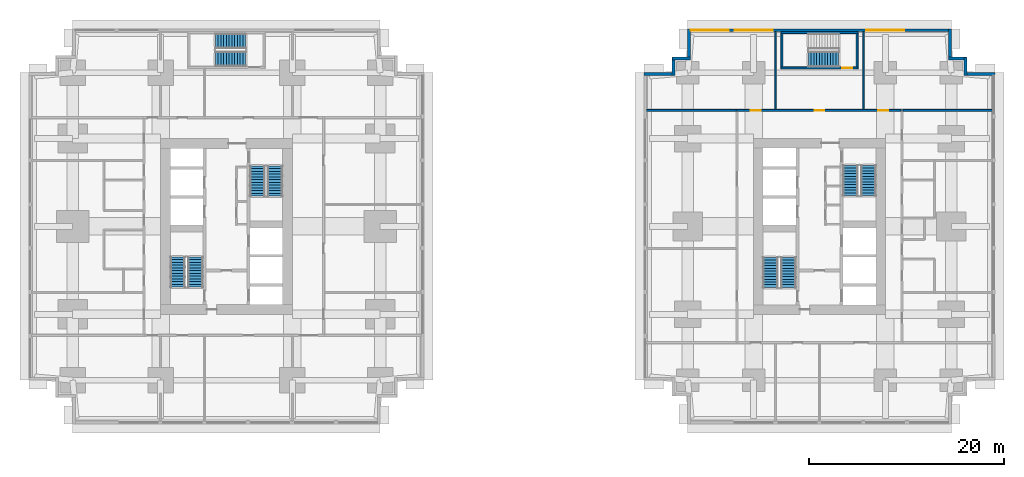
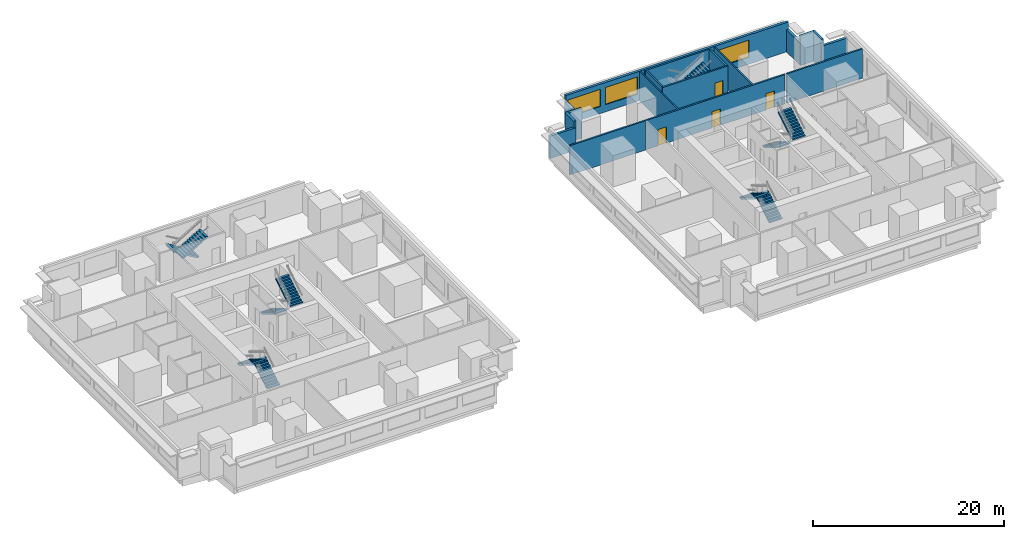
# One storey, part 8 of 12: 18 walls, 11 stair flights, 4 doors, 3 windows, 7 openings, 6 elements without a shape of their own.
"""IFC4 building model written with IfcOpenShell, lengths in metres."""

from ifc_helpers import new_model, si_unit, direction, frame, frame_2d, origin, place, context, subcontext, project, spatial, polyline, rectangle, outline, extrude, material, layer, layer_set, type_object, element, fill, aggregate, save


model = new_model("IFC4")

# Units and contexts
model_context = context("Model", 3, precision=1e-05, world=origin(), true_north=direction((0.0, 1.0)))
body_context = subcontext(model_context, "Body", "Model", "MODEL_VIEW")
ifc_project = project(units=[si_unit("LENGTHUNIT", "METRE"), si_unit("AREAUNIT", "SQUARE_METRE"), si_unit("VOLUMEUNIT", "CUBIC_METRE"), si_unit("PLANEANGLEUNIT", "RADIAN"), si_unit("MASSUNIT", "GRAM", prefix="KILO")], contexts=[model_context])

# Site, building, storey
site_placement = place(None, origin())
site = spatial("IfcSite", under=ifc_project, at=site_placement, CompositionType="ELEMENT")
building_placement = place(site_placement, origin())
building = spatial("IfcBuilding", under=site, at=building_placement, Name="Namib Vertical Campus", CompositionType="ELEMENT")
storey_placement = place(building_placement, frame((0.0, 0.0, 45.0)))
storey = spatial("IfcBuildingStorey", under=building, at=storey_placement, Name="L10", CompositionType="ELEMENT", Elevation=45.0)

# Wall, openings, doors
ifc_material_1 = material(Name="Concrete masonry", Category="masonry")
ifc_layer_1 = layer(ifc_material_1, 0.199951171875)
ifc_layer_set_1 = layer_set([ifc_layer_1], Name="Corridor wall 200")
wall_type_1 = type_object("IfcWallType", Name="Corridor wall 200", PredefinedType="SOLIDWALL", material=ifc_layer_set_1)
wall_1_placement = place(storey_placement, frame((89.35009765625, 32.14990234375, 0.0), z_axis=(0.0, 0.0, 1.0), x_axis=(-1.0, 0.0, 0.0)))
wall_1 = element("IfcWall", 1, at=wall_1_placement, inside=storey, type_object=wall_type_1, Name="Corridor wall B L10 CN", PredefinedType="SOLIDWALL", context=body_context, shape_type="SweptSolid", body=[
    extrude(rectangle(XDim=16.900146484375, YDim=0.199951171875, at=frame_2d((8.4501953125, 0.0))), origin(), (0.0, 0.0, 1.0), 3.75),
])
opening_1_placement = place(wall_1_placement, frame((14.375, 0.0, 0.0)))
opening_1 = element("IfcOpeningElement", 2, at=opening_1_placement, cuts=wall_1, Name="Opening CD1", PredefinedType="OPENING", context=body_context, shape_type="SweptSolid", body=[
    extrude(rectangle(XDim=1.0, YDim=2.10009765625, at=frame_2d((0.5, 1.050048828125))), frame((0.0, 0.10986328125, 0.0), z_axis=(0.0, -1.0, 0.0), x_axis=(1.0, 0.0, 0.0)), (0.0, 0.0, 1.0), 0.219970703125),
])
opening_2_placement = place(wall_1_placement, frame((7.85009765625, 0.0, 0.0)))
opening_2 = element("IfcOpeningElement", 3, at=opening_2_placement, cuts=wall_1, Name="Opening CD1", PredefinedType="OPENING", context=body_context, shape_type="SweptSolid", body=[
    extrude(rectangle(XDim=1.0, YDim=2.10009765625, at=frame_2d((0.5, 1.050048828125))), frame((0.0, 0.10986328125, 0.0), z_axis=(0.0, -1.0, 0.0), x_axis=(1.0, 0.0, 0.0)), (0.0, 0.0, 1.0), 0.219970703125),
])
opening_3_placement = place(wall_1_placement, frame((1.324951171875, 0.0, 0.0)))
opening_3 = element("IfcOpeningElement", 4, at=opening_3_placement, cuts=wall_1, Name="Opening CD1", PredefinedType="OPENING", context=body_context, shape_type="SweptSolid", body=[
    extrude(rectangle(XDim=1.0, YDim=2.10009765625, at=frame_2d((0.5, 1.050048828125))), frame((0.0, 0.10986328125, 0.0), z_axis=(0.0, -1.0, 0.0), x_axis=(1.0, 0.0, 0.0)), (0.0, 0.0, 1.0), 0.219970703125),
])
ifc_material_2 = material(Name="Timber fire door leaf", Category="wood")
door_type_1 = type_object("IfcDoorType", Name="Corridor door 1000x2100 20 min", OperationType="SINGLE_SWING_LEFT", PredefinedType="DOOR", material=ifc_material_2)
door_1_placement = place(opening_1_placement, frame((1.0, 0.0, 0.0), z_axis=(0.0, 0.0, 1.0), x_axis=(-1.0, 0.0, 0.0)))
door_1 = element("IfcDoor", 5, at=door_1_placement, inside=storey, type_object=door_type_1, Name="Door CD1 B10-11", OperationType="SINGLE_SWING_RIGHT", OverallHeight=2.10009765625, OverallWidth=1.0, PredefinedType="DOOR", context=body_context, shape_type="SweptSolid", body=[
    extrude(rectangle(XDim=1.0, YDim=2.10009765625, at=frame_2d((0.5, 1.050048828125))), frame((0.0, 0.02490234375, 0.0), z_axis=(0.0, -1.0, 0.0), x_axis=(1.0, 0.0, 0.0)), (0.0, 0.0, 1.0), 0.050048828125),
])
fill(opening_1, door_1)
door_2_placement = place(opening_2_placement, frame((1.0, 0.0, 0.0), z_axis=(0.0, 0.0, 1.0), x_axis=(-1.0, 0.0, 0.0)))
door_2 = element("IfcDoor", 6, at=door_2_placement, inside=storey, type_object=door_type_1, Name="Door CD1 B10-12", OperationType="SINGLE_SWING_RIGHT", OverallHeight=2.10009765625, OverallWidth=1.0, PredefinedType="DOOR", context=body_context, shape_type="SweptSolid", body=[
    extrude(rectangle(XDim=1.0, YDim=2.10009765625, at=frame_2d((0.5, 1.050048828125))), frame((0.0, 0.02490234375, 0.0), z_axis=(0.0, -1.0, 0.0), x_axis=(1.0, 0.0, 0.0)), (0.0, 0.0, 1.0), 0.050048828125),
])
fill(opening_2, door_2)
door_3_placement = place(opening_3_placement, frame((1.0, 0.0, 0.0), z_axis=(0.0, 0.0, 1.0), x_axis=(-1.0, 0.0, 0.0)))
door_3 = element("IfcDoor", 7, at=door_3_placement, inside=storey, type_object=door_type_1, Name="Door CD1 B10-13", OperationType="SINGLE_SWING_LEFT", OverallHeight=2.10009765625, OverallWidth=1.0, PredefinedType="DOOR", context=body_context, shape_type="SweptSolid", body=[
    extrude(rectangle(XDim=1.0, YDim=2.10009765625, at=frame_2d((0.5, 1.050048828125))), frame((0.0, 0.02490234375, 0.0), z_axis=(0.0, -1.0, 0.0), x_axis=(1.0, 0.0, 0.0)), (0.0, 0.0, 1.0), 0.050048828125),
])
fill(opening_3, door_3)

# Walls
for number, where, z_axis, x_axis, name in (
    (8, (63.300048828125, 32.14990234375, 0.0), (0.0, 0.0, 1.0), (1.0, 0.0, 0.0), "Partition B L10 BNW"),
    (9, (89.550048828125, 32.14990234375, 0.0), (0.0, 0.0, 1.0), (1.0, 0.0, 0.0), "Partition B L10 BNE"),
):
    element("IfcWall", number, at=place(storey_placement, frame(where, z_axis=z_axis, x_axis=x_axis)), inside=storey, type_object=wall_type_1, Name=name, PredefinedType="SOLIDWALL", context=body_context, shape_type="SweptSolid", body=[
        extrude(rectangle(XDim=9.14990234375, YDim=0.199951171875, at=frame_2d((4.574951171875, 0.0))), origin(), (0.0, 0.0, 1.0), 3.75),
    ])
ifc_material_3 = material(Name="Concrete C40/50", Category="concrete")
ifc_layer_2 = layer(ifc_material_3, 0.300048828125)
ifc_layer_set_2 = layer_set([ifc_layer_2], Name="Concrete C40/50")
wall_type_2 = type_object("IfcWallType", Name="External wall 300 board-marked concrete", PredefinedType="STANDARD", material=ifc_layer_set_2)
wall_2_placement = place(storey_placement, frame((98.97998046875, 35.85009765625, 0.0), z_axis=(0.0, 0.0, 1.0), x_axis=(-1.0, 0.0, 0.0)))
element("IfcWall", 10, at=wall_2_placement, inside=storey, type_object=wall_type_2, Name="External wall L10 F07", PredefinedType="STANDARD", context=body_context, shape_type="SweptSolid", body=[
    extrude(rectangle(XDim=3.159912109375, YDim=0.300048828125, at=frame_2d((1.580078125, 0.0))), origin(), (0.0, 0.0, 1.0), 2.85009765625),
])
for number, where, z_axis, x_axis, name in (
    (11, (95.949951171875, 35.719970703125, 0.0), (0.0, 0.0, 1.0), (0.0, 1.0, 0.0), "External wall L10 F08"),
    (12, (96.080078125, 37.449951171875, 0.0), (0.0, 0.0, 1.0), (-1.0, 0.0, 0.0), "External wall L10 F09"),
):
    element("IfcWall", number, at=place(storey_placement, frame(where, z_axis=z_axis, x_axis=x_axis)), inside=storey, type_object=wall_type_2, Name=name, PredefinedType="STANDARD", context=body_context, shape_type="SweptSolid", body=[
        extrude(rectangle(XDim=1.860107421875, YDim=0.300048828125, at=frame_2d((0.93017578125, 0.0))), origin(), (0.0, 0.0, 1.0), 3.75),
    ])
wall_3_placement = place(storey_placement, frame((94.35009765625, 37.320068359375, 0.0), z_axis=(0.0, 0.0, 1.0), x_axis=(0.0, 1.0, 0.0)))
element("IfcWall", 13, at=wall_3_placement, inside=storey, type_object=wall_type_2, Name="External wall L10 F10", PredefinedType="STANDARD", context=body_context, shape_type="SweptSolid", body=[
    extrude(rectangle(XDim=3.159912109375, YDim=0.300048828125, at=frame_2d((1.580078125, 0.0))), origin(), (0.0, 0.0, 1.0), 2.85009765625),
])

# Wall, openings, windows
wall_4_placement = place(storey_placement, frame((94.47998046875, 40.35009765625, 0.0), z_axis=(0.0, 0.0, 1.0), x_axis=(-1.0, 0.0, 0.0)))
wall_4 = element("IfcWall", 14, at=wall_4_placement, inside=storey, type_object=wall_type_2, Name="External wall L10 F11", PredefinedType="STANDARD", context=body_context, shape_type="SweptSolid", body=[
    extrude(rectangle(XDim=26.9599609375, YDim=0.300048828125, at=frame_2d((13.47998046875, 0.0))), origin(), (0.0, 0.0, 1.0), 3.75),
])
opening_4_placement = place(wall_4_placement, frame((22.780029296875, 0.0, 0.89990234375)))
opening_4 = element("IfcOpeningElement", 15, at=opening_4_placement, cuts=wall_4, Name="Opening W1", PredefinedType="OPENING", context=body_context, shape_type="SweptSolid", body=[
    extrude(rectangle(XDim=3.89990234375, YDim=2.199951171875, at=frame_2d((1.949951171875, 1.10009765625))), frame((0.0, 0.159912109375, 0.0), z_axis=(0.0, -1.0, 0.0), x_axis=(1.0, 0.0, 0.0)), (0.0, 0.0, 1.0), 0.320068359375),
])
opening_5_placement = place(wall_4_placement, frame((18.280029296875, 0.0, 0.89990234375)))
opening_5 = element("IfcOpeningElement", 16, at=opening_5_placement, cuts=wall_4, Name="Opening W1", PredefinedType="OPENING", context=body_context, shape_type="SweptSolid", body=[
    extrude(rectangle(XDim=3.89990234375, YDim=2.199951171875, at=frame_2d((1.949951171875, 1.10009765625))), frame((0.0, 0.159912109375, 0.0), z_axis=(0.0, -1.0, 0.0), x_axis=(1.0, 0.0, 0.0)), (0.0, 0.0, 1.0), 0.320068359375),
])
opening_6_placement = place(wall_4_placement, frame((4.780029296875, 0.0, 0.89990234375)))
opening_6 = element("IfcOpeningElement", 17, at=opening_6_placement, cuts=wall_4, Name="Opening W1", PredefinedType="OPENING", context=body_context, shape_type="SweptSolid", body=[
    extrude(rectangle(XDim=3.89990234375, YDim=2.199951171875, at=frame_2d((1.949951171875, 1.10009765625))), frame((0.0, 0.159912109375, 0.0), z_axis=(0.0, -1.0, 0.0), x_axis=(1.0, 0.0, 0.0)), (0.0, 0.0, 1.0), 0.320068359375),
])
ifc_material_4 = material(Name="Dark tinted glass in black aluminium frame", Category="aluminium")
window_type = type_object("IfcWindowType", Name="Ribbon window 3900x2200", PartitioningType="SINGLE_PANEL", PredefinedType="WINDOW", material=ifc_material_4)
window_1_placement = place(opening_4_placement, origin())
window_1 = element("IfcWindow", 18, at=window_1_placement, inside=storey, type_object=window_type, Name="Window W1 L10 F11-1", OverallHeight=2.199951171875, OverallWidth=3.89990234375, PartitioningType="SINGLE_PANEL", PredefinedType="WINDOW", context=body_context, shape_type="SweptSolid", body=[
    extrude(rectangle(XDim=3.89990234375, YDim=2.199951171875, at=frame_2d((1.949951171875, 1.10009765625))), frame((0.0, 0.030029296875, 0.0), z_axis=(0.0, -1.0, 0.0), x_axis=(1.0, 0.0, 0.0)), (0.0, 0.0, 1.0), 0.06005859375),
])
fill(opening_4, window_1)
window_2_placement = place(opening_5_placement, origin())
window_2 = element("IfcWindow", 19, at=window_2_placement, inside=storey, type_object=window_type, Name="Window W1 L10 F11-2", OverallHeight=2.199951171875, OverallWidth=3.89990234375, PartitioningType="SINGLE_PANEL", PredefinedType="WINDOW", context=body_context, shape_type="SweptSolid", body=[
    extrude(rectangle(XDim=3.89990234375, YDim=2.199951171875, at=frame_2d((1.949951171875, 1.10009765625))), frame((0.0, 0.030029296875, 0.0), z_axis=(0.0, -1.0, 0.0), x_axis=(1.0, 0.0, 0.0)), (0.0, 0.0, 1.0), 0.06005859375),
])
fill(opening_5, window_2)
window_3_placement = place(opening_6_placement, origin())
window_3 = element("IfcWindow", 20, at=window_3_placement, inside=storey, type_object=window_type, Name="Window W1 L10 F11-5", OverallHeight=2.199951171875, OverallWidth=3.89990234375, PartitioningType="SINGLE_PANEL", PredefinedType="WINDOW", context=body_context, shape_type="SweptSolid", body=[
    extrude(rectangle(XDim=3.89990234375, YDim=2.199951171875, at=frame_2d((1.949951171875, 1.10009765625))), frame((0.0, 0.030029296875, 0.0), z_axis=(0.0, -1.0, 0.0), x_axis=(1.0, 0.0, 0.0)), (0.0, 0.0, 1.0), 0.06005859375),
])
fill(opening_6, window_3)

# Walls
wall_5_placement = place(storey_placement, frame((67.64990234375, 40.47998046875, 0.0), z_axis=(0.0, 0.0, 1.0), x_axis=(0.0, -1.0, 0.0)))
element("IfcWall", 21, at=wall_5_placement, inside=storey, type_object=wall_type_2, Name="External wall L10 F12", PredefinedType="STANDARD", context=body_context, shape_type="SweptSolid", body=[
    extrude(rectangle(XDim=3.159912109375, YDim=0.300048828125, at=frame_2d((1.580078125, 0.0))), origin(), (0.0, 0.0, 1.0), 2.85009765625),
])
for number, where, z_axis, x_axis, name in (
    (22, (67.780029296875, 37.449951171875, 0.0), (0.0, 0.0, 1.0), (-1.0, 0.0, 0.0), "External wall L10 F13"),
    (23, (66.050048828125, 37.580078125, 0.0), (0.0, 0.0, 1.0), (0.0, -1.0, 0.0), "External wall L10 F14"),
):
    element("IfcWall", number, at=place(storey_placement, frame(where, z_axis=z_axis, x_axis=x_axis)), inside=storey, type_object=wall_type_2, Name=name, PredefinedType="STANDARD", context=body_context, shape_type="SweptSolid", body=[
        extrude(rectangle(XDim=1.860107421875, YDim=0.300048828125, at=frame_2d((0.93017578125, 0.0))), origin(), (0.0, 0.0, 1.0), 3.75),
    ])
wall_6_placement = place(storey_placement, frame((66.179931640625, 35.85009765625, 0.0), z_axis=(0.0, 0.0, 1.0), x_axis=(-1.0, 0.0, 0.0)))
element("IfcWall", 24, at=wall_6_placement, inside=storey, type_object=wall_type_2, Name="External wall L10 F15", PredefinedType="STANDARD", context=body_context, shape_type="SweptSolid", body=[
    extrude(rectangle(XDim=3.159912109375, YDim=0.300048828125, at=frame_2d((1.580078125, 0.0))), origin(), (0.0, 0.0, 1.0), 2.85009765625),
])
ifc_material_5 = material(Name="Gypsum board on steel studs", Category="steel")
ifc_layer_3 = layer(ifc_material_5, 0.14990234375)
ifc_layer_set_3 = layer_set([ifc_layer_3], Name="Gypsum board on steel studs")
wall_type_3 = type_object("IfcWallType", Name="Partition 150", PredefinedType="PARTITIONING", material=ifc_layer_set_3)
for number, where, z_axis, x_axis, name in (
    (25, (76.5, 32.25, 0.0), (0.0, 0.0, 1.0), (0.0, 1.0, 0.0), "Partition B L10 PN1"),
    (26, (85.5, 32.25, 0.0), (0.0, 0.0, 1.0), (0.0, 1.0, 0.0), "Partition B L10 PN2"),
):
    element("IfcWall", number, at=place(storey_placement, frame(where, z_axis=z_axis, x_axis=x_axis)), inside=storey, type_object=wall_type_3, Name=name, PredefinedType="PARTITIONING", context=body_context, shape_type="SweptSolid", body=[
        extrude(rectangle(XDim=7.949951171875, YDim=0.14990234375, at=frame_2d((3.97509765625, 0.0))), origin(), (0.0, 0.0, 1.0), 3.75),
    ])

# Wall, opening, door
ifc_material_6 = material(Name="Concrete C40/50", Category="concrete")
ifc_layer_4 = layer(ifc_material_6, 0.199951171875)
ifc_layer_set_4 = layer_set([ifc_layer_4], Name="Concrete C40/50")
wall_type_4 = type_object("IfcWallType", Name="Stair enclosure wall RC 200", PredefinedType="SOLIDWALL", material=ifc_layer_set_4)
wall_7_placement = place(storey_placement, frame((77.050048828125, 36.5, 0.0), z_axis=(0.0, 0.0, 1.0), x_axis=(1.0, 0.0, 0.0)))
wall_7 = element("IfcWall", 27, at=wall_7_placement, inside=storey, type_object=wall_type_4, Name="Stair enclosure wall B-S3 L10 S", PredefinedType="SOLIDWALL", context=body_context, shape_type="SweptSolid", body=[
    extrude(rectangle(XDim=7.89990234375, YDim=0.199951171875, at=frame_2d((3.949951171875, 0.0))), origin(), (0.0, 0.0, 1.0), 3.75),
])
opening_7_placement = place(wall_7_placement, frame((6.300048828125, 0.0, 0.0)))
opening_7 = element("IfcOpeningElement", 28, at=opening_7_placement, cuts=wall_7, Name="Opening FD1", PredefinedType="OPENING", context=body_context, shape_type="SweptSolid", body=[
    extrude(rectangle(XDim=1.0, YDim=2.10009765625, at=frame_2d((0.5, 1.050048828125))), frame((0.0, 0.10986328125, 0.0), z_axis=(0.0, -1.0, 0.0), x_axis=(1.0, 0.0, 0.0)), (0.0, 0.0, 1.0), 0.219970703125),
])
ifc_material_7 = material(Name="Steel fire door", Category="steel")
door_type_2 = type_object("IfcDoorType", Name="Fire door 1000x2100", OperationType="SINGLE_SWING_RIGHT", PredefinedType="DOOR", material=ifc_material_7)
door_4_placement = place(opening_7_placement, origin())
door_4 = element("IfcDoor", 29, at=door_4_placement, inside=storey, type_object=door_type_2, Name="Stair door FD1 B L10 S3", OperationType="SINGLE_SWING_RIGHT", OverallHeight=2.10009765625, OverallWidth=1.0, PredefinedType="DOOR", context=body_context, shape_type="SweptSolid", body=[
    extrude(rectangle(XDim=1.0, YDim=2.10009765625, at=frame_2d((0.5, 1.050048828125))), frame((0.0, 0.02490234375, 0.0), z_axis=(0.0, -1.0, 0.0), x_axis=(1.0, 0.0, 0.0)), (0.0, 0.0, 1.0), 0.050048828125),
])
fill(opening_7, door_4)

# Walls
wall_8_placement = place(storey_placement, frame((77.050048828125, 40.10009765625, 0.0), z_axis=(0.0, 0.0, 1.0), x_axis=(1.0, 0.0, 0.0)))
element("IfcWall", 30, at=wall_8_placement, inside=storey, type_object=wall_type_4, Name="Stair enclosure wall B-S3 L10 N", PredefinedType="SOLIDWALL", context=body_context, shape_type="SweptSolid", body=[
    extrude(rectangle(XDim=7.89990234375, YDim=0.199951171875, at=frame_2d((3.949951171875, 0.0))), origin(), (0.0, 0.0, 1.0), 3.75),
])
for number, where, z_axis, x_axis, name in (
    (31, (77.14990234375, 36.60009765625, 0.0), (0.0, 0.0, 1.0), (0.0, 1.0, 0.0), "Stair enclosure wall B-S3 L10 W"),
    (32, (84.85009765625, 36.60009765625, 0.0), (0.0, 0.0, 1.0), (0.0, 1.0, 0.0), "Stair enclosure wall B-S3 L10 E"),
):
    element("IfcWall", number, at=place(storey_placement, frame(where, z_axis=z_axis, x_axis=x_axis)), inside=storey, type_object=wall_type_4, Name=name, PredefinedType="SOLIDWALL", context=body_context, shape_type="SweptSolid", body=[
        extrude(rectangle(XDim=3.39990234375, YDim=0.199951171875, at=frame_2d((1.699951171875, 0.0))), origin(), (0.0, 0.0, 1.0), 3.75),
    ])

# Stair, stair flights
ifc_material_8 = material(Name="Concrete C40/50 precast", Category="concrete")
stair_type_1 = type_object("IfcStairType", Name="Exit stair 4000 rise 24 risers 3350 wide", PredefinedType="HALF_TURN_STAIR", material=ifc_material_8)
stair_1_placement = place(storey_placement, origin())
stair_1 = element("IfcStair", 33, at=stair_1_placement, inside=storey, type_object=stair_type_1, Name="Exit stair A-S1 L10", PredefinedType="HALF_TURN_STAIR")
ifc_material_9 = material(Name="Concrete C40/50 precast", Category="concrete")
stair_flight_type_1 = type_object("IfcStairFlightType", Name="Stair flight 12 risers 167 1525 wide", PredefinedType="STRAIGHT", material=ifc_material_9)
stair_flight_1_placement = place(storey_placement, frame((17.08740234375, 14.050048828125, 0.0), z_axis=(0.0, 0.0, 1.0), x_axis=(0.0, 1.0, 0.0)))
stair_flight_1 = element("IfcStairFlight", 34, at=stair_flight_1_placement, type_object=stair_flight_type_1, Name="A-S1 flight 1", NumberOfRisers=12, NumberOfTreads=11, PredefinedType="STRAIGHT", RiserHeight=0.166666667, TreadLength=0.28, context=body_context, shape_type="SweptSolid", body=[
    extrude(outline(polyline([(0.0, 0.0), (0.0, 0.166748046875), (0.280029296875, 0.166748046875), (0.280029296875, 0.333251953125), (0.56005859375, 0.333251953125), (0.56005859375, 0.5), (0.840087890625, 0.5), (0.840087890625, 0.666748046875), (1.1201171875, 0.666748046875), (1.1201171875, 0.833251953125), (1.39990234375, 0.833251953125), (1.39990234375, 1.0), (1.679931640625, 1.0), (1.679931640625, 1.166748046875), (1.9599609375, 1.166748046875), (1.9599609375, 1.333251953125), (2.239990234375, 1.333251953125), (2.239990234375, 1.5), (2.52001953125, 1.5), (2.52001953125, 1.666748046875), (2.800048828125, 1.666748046875), (2.800048828125, 1.833251953125), (3.080078125, 1.833251953125), (3.080078125, 2.0), (3.080078125, 1.658935546875), (0.29296875, 0.0), (0.0, 0.0)])), frame((0.0, 0.762451171875, 0.0), z_axis=(0.0, -1.0, 0.0), x_axis=(1.0, 0.0, 0.0)), (0.0, 0.0, 1.0), 1.52490234375),
])
stair_flight_2_placement = place(storey_placement, frame((15.262451171875, 17.1298828125, 2.0), z_axis=(0.0, 0.0, 1.0), x_axis=(0.0, -1.0, 0.0)))
stair_flight_2 = element("IfcStairFlight", 35, at=stair_flight_2_placement, type_object=stair_flight_type_1, Name="A-S1 flight 2", NumberOfRisers=12, NumberOfTreads=11, PredefinedType="STRAIGHT", RiserHeight=0.166666667, TreadLength=0.28, context=body_context, shape_type="SweptSolid", body=[
    extrude(outline(polyline([(0.0, 0.0), (0.0, 0.166748046875), (0.280029296875, 0.166748046875), (0.280029296875, 0.333251953125), (0.56005859375, 0.333251953125), (0.56005859375, 0.5), (0.840087890625, 0.5), (0.840087890625, 0.666748046875), (1.1201171875, 0.666748046875), (1.1201171875, 0.833251953125), (1.39990234375, 0.833251953125), (1.39990234375, 1.0), (1.679931640625, 1.0), (1.679931640625, 1.166748046875), (1.9599609375, 1.166748046875), (1.9599609375, 1.333251953125), (2.239990234375, 1.333251953125), (2.239990234375, 1.5), (2.52001953125, 1.5), (2.52001953125, 1.666748046875), (2.800048828125, 1.666748046875), (2.800048828125, 1.833251953125), (3.080078125, 1.833251953125), (3.080078125, 2.0), (3.080078125, 1.658935546875), (0.29296875, 0.0), (0.0, 0.0)])), frame((0.0, 0.762451171875, 0.0), z_axis=(0.0, -1.0, 0.0), x_axis=(1.0, 0.0, 0.0)), (0.0, 0.0, 1.0), 1.52490234375),
])
aggregate(stair_1, [stair_flight_1, stair_flight_2])

stair_2_placement = place(storey_placement, origin())
stair_2 = element("IfcStair", 36, at=stair_2_placement, inside=storey, type_object=stair_type_1, Name="Exit stair A-S2 L10", PredefinedType="HALF_TURN_STAIR")
stair_flight_3_placement = place(storey_placement, frame((23.41259765625, 26.449951171875, 0.0), z_axis=(0.0, 0.0, 1.0), x_axis=(0.0, -1.0, 0.0)))
stair_flight_3 = element("IfcStairFlight", 37, at=stair_flight_3_placement, type_object=stair_flight_type_1, Name="A-S2 flight 1", NumberOfRisers=12, NumberOfTreads=11, PredefinedType="STRAIGHT", RiserHeight=0.166666667, TreadLength=0.28, context=body_context, shape_type="SweptSolid", body=[
    extrude(outline(polyline([(0.0, 0.0), (0.0, 0.166748046875), (0.280029296875, 0.166748046875), (0.280029296875, 0.333251953125), (0.56005859375, 0.333251953125), (0.56005859375, 0.5), (0.840087890625, 0.5), (0.840087890625, 0.666748046875), (1.1201171875, 0.666748046875), (1.1201171875, 0.833251953125), (1.39990234375, 0.833251953125), (1.39990234375, 1.0), (1.679931640625, 1.0), (1.679931640625, 1.166748046875), (1.9599609375, 1.166748046875), (1.9599609375, 1.333251953125), (2.239990234375, 1.333251953125), (2.239990234375, 1.5), (2.52001953125, 1.5), (2.52001953125, 1.666748046875), (2.800048828125, 1.666748046875), (2.800048828125, 1.833251953125), (3.080078125, 1.833251953125), (3.080078125, 2.0), (3.080078125, 1.658935546875), (0.29296875, 0.0), (0.0, 0.0)])), frame((0.0, 0.762451171875, 0.0), z_axis=(0.0, -1.0, 0.0), x_axis=(1.0, 0.0, 0.0)), (0.0, 0.0, 1.0), 1.52490234375),
])
stair_flight_4_placement = place(storey_placement, frame((25.237548828125, 23.3701171875, 2.0), z_axis=(0.0, 0.0, 1.0), x_axis=(0.0, 1.0, 0.0)))
stair_flight_4 = element("IfcStairFlight", 38, at=stair_flight_4_placement, type_object=stair_flight_type_1, Name="A-S2 flight 2", NumberOfRisers=12, NumberOfTreads=11, PredefinedType="STRAIGHT", RiserHeight=0.166666667, TreadLength=0.28, context=body_context, shape_type="SweptSolid", body=[
    extrude(outline(polyline([(0.0, 0.0), (0.0, 0.166748046875), (0.280029296875, 0.166748046875), (0.280029296875, 0.333251953125), (0.56005859375, 0.333251953125), (0.56005859375, 0.5), (0.840087890625, 0.5), (0.840087890625, 0.666748046875), (1.1201171875, 0.666748046875), (1.1201171875, 0.833251953125), (1.39990234375, 0.833251953125), (1.39990234375, 1.0), (1.679931640625, 1.0), (1.679931640625, 1.166748046875), (1.9599609375, 1.166748046875), (1.9599609375, 1.333251953125), (2.239990234375, 1.333251953125), (2.239990234375, 1.5), (2.52001953125, 1.5), (2.52001953125, 1.666748046875), (2.800048828125, 1.666748046875), (2.800048828125, 1.833251953125), (3.080078125, 1.833251953125), (3.080078125, 2.0), (3.080078125, 1.658935546875), (0.29296875, 0.0), (0.0, 0.0)])), frame((0.0, 0.762451171875, 0.0), z_axis=(0.0, -1.0, 0.0), x_axis=(1.0, 0.0, 0.0)), (0.0, 0.0, 1.0), 1.52490234375),
])
aggregate(stair_2, [stair_flight_3, stair_flight_4])

stair_3_placement = place(storey_placement, origin())
stair_3 = element("IfcStair", 39, at=stair_3_placement, inside=storey, type_object=stair_type_1, Name="Exit stair A-S3 L10", PredefinedType="HALF_TURN_STAIR")
stair_flight_5_placement = place(storey_placement, frame((22.199951171875, 39.237548828125, 0.0), z_axis=(0.0, 0.0, 1.0), x_axis=(-1.0, 0.0, 0.0)))
stair_flight_5 = element("IfcStairFlight", 40, at=stair_flight_5_placement, type_object=stair_flight_type_1, Name="A-S3 flight 1", NumberOfRisers=12, NumberOfTreads=11, PredefinedType="STRAIGHT", RiserHeight=0.166666667, TreadLength=0.28, context=body_context, shape_type="SweptSolid", body=[
    extrude(outline(polyline([(0.0, 0.0), (0.0, 0.166748046875), (0.280029296875, 0.166748046875), (0.280029296875, 0.333251953125), (0.56005859375, 0.333251953125), (0.56005859375, 0.5), (0.840087890625, 0.5), (0.840087890625, 0.666748046875), (1.1201171875, 0.666748046875), (1.1201171875, 0.833251953125), (1.39990234375, 0.833251953125), (1.39990234375, 1.0), (1.679931640625, 1.0), (1.679931640625, 1.166748046875), (1.9599609375, 1.166748046875), (1.9599609375, 1.333251953125), (2.239990234375, 1.333251953125), (2.239990234375, 1.5), (2.52001953125, 1.5), (2.52001953125, 1.666748046875), (2.800048828125, 1.666748046875), (2.800048828125, 1.833251953125), (3.080078125, 1.833251953125), (3.080078125, 2.0), (3.080078125, 1.658935546875), (0.29296875, 0.0), (0.0, 0.0)])), frame((0.0, 0.762451171875, 0.0), z_axis=(0.0, -1.0, 0.0), x_axis=(1.0, 0.0, 0.0)), (0.0, 0.0, 1.0), 1.52490234375),
])
stair_flight_6_placement = place(storey_placement, frame((19.1201171875, 37.41259765625, 2.0), z_axis=(0.0, 0.0, 1.0), x_axis=(1.0, 0.0, 0.0)))
stair_flight_6 = element("IfcStairFlight", 41, at=stair_flight_6_placement, type_object=stair_flight_type_1, Name="A-S3 flight 2", NumberOfRisers=12, NumberOfTreads=11, PredefinedType="STRAIGHT", RiserHeight=0.166666667, TreadLength=0.28, context=body_context, shape_type="SweptSolid", body=[
    extrude(outline(polyline([(0.0, 0.0), (0.0, 0.166748046875), (0.280029296875, 0.166748046875), (0.280029296875, 0.333251953125), (0.56005859375, 0.333251953125), (0.56005859375, 0.5), (0.840087890625, 0.5), (0.840087890625, 0.666748046875), (1.1201171875, 0.666748046875), (1.1201171875, 0.833251953125), (1.39990234375, 0.833251953125), (1.39990234375, 1.0), (1.679931640625, 1.0), (1.679931640625, 1.166748046875), (1.9599609375, 1.166748046875), (1.9599609375, 1.333251953125), (2.239990234375, 1.333251953125), (2.239990234375, 1.5), (2.52001953125, 1.5), (2.52001953125, 1.666748046875), (2.800048828125, 1.666748046875), (2.800048828125, 1.833251953125), (3.080078125, 1.833251953125), (3.080078125, 2.0), (3.080078125, 1.658935546875), (0.29296875, 0.0), (0.0, 0.0)])), frame((0.0, 0.762451171875, 0.0), z_axis=(0.0, -1.0, 0.0), x_axis=(1.0, 0.0, 0.0)), (0.0, 0.0, 1.0), 1.52490234375),
])
aggregate(stair_3, [stair_flight_5, stair_flight_6])

ifc_material_10 = material(Name="Concrete C40/50 precast", Category="concrete")
stair_type_2 = type_object("IfcStairType", Name="Exit stair 4000 rise 24 risers 3400 wide", PredefinedType="HALF_TURN_STAIR", material=ifc_material_10)
stair_4_placement = place(storey_placement, origin())
stair_4 = element("IfcStair", 42, at=stair_4_placement, inside=storey, type_object=stair_type_2, Name="Exit stair B-S1 L10", PredefinedType="HALF_TURN_STAIR")
ifc_material_11 = material(Name="Concrete C40/50 precast", Category="concrete")
stair_flight_type_2 = type_object("IfcStairFlightType", Name="Stair flight 12 risers 167 1550 wide", PredefinedType="STRAIGHT", material=ifc_material_11)
stair_flight_7_placement = place(storey_placement, frame((77.824951171875, 14.0, 0.0), z_axis=(0.0, 0.0, 1.0), x_axis=(0.0, 1.0, 0.0)))
stair_flight_7 = element("IfcStairFlight", 43, at=stair_flight_7_placement, type_object=stair_flight_type_2, Name="B-S1 flight 1", NumberOfRisers=12, NumberOfTreads=11, PredefinedType="STRAIGHT", RiserHeight=0.166666667, TreadLength=0.28, context=body_context, shape_type="SweptSolid", body=[
    extrude(outline(polyline([(0.0, 0.0), (0.0, 0.166748046875), (0.280029296875, 0.166748046875), (0.280029296875, 0.333251953125), (0.56005859375, 0.333251953125), (0.56005859375, 0.5), (0.840087890625, 0.5), (0.840087890625, 0.666748046875), (1.1201171875, 0.666748046875), (1.1201171875, 0.833251953125), (1.39990234375, 0.833251953125), (1.39990234375, 1.0), (1.679931640625, 1.0), (1.679931640625, 1.166748046875), (1.9599609375, 1.166748046875), (1.9599609375, 1.333251953125), (2.239990234375, 1.333251953125), (2.239990234375, 1.5), (2.52001953125, 1.5), (2.52001953125, 1.666748046875), (2.800048828125, 1.666748046875), (2.800048828125, 1.833251953125), (3.080078125, 1.833251953125), (3.080078125, 2.0), (3.080078125, 1.658935546875), (0.29296875, 0.0), (0.0, 0.0)])), frame((0.0, 0.77490234375, 0.0), z_axis=(0.0, -1.0, 0.0), x_axis=(1.0, 0.0, 0.0)), (0.0, 0.0, 1.0), 1.550048828125),
])
stair_flight_8_placement = place(storey_placement, frame((75.97509765625, 17.080078125, 2.0), z_axis=(0.0, 0.0, 1.0), x_axis=(0.0, -1.0, 0.0)))
stair_flight_8 = element("IfcStairFlight", 44, at=stair_flight_8_placement, type_object=stair_flight_type_2, Name="B-S1 flight 2", NumberOfRisers=12, NumberOfTreads=11, PredefinedType="STRAIGHT", RiserHeight=0.166666667, TreadLength=0.28, context=body_context, shape_type="SweptSolid", body=[
    extrude(outline(polyline([(0.0, 0.0), (0.0, 0.166748046875), (0.280029296875, 0.166748046875), (0.280029296875, 0.333251953125), (0.56005859375, 0.333251953125), (0.56005859375, 0.5), (0.840087890625, 0.5), (0.840087890625, 0.666748046875), (1.1201171875, 0.666748046875), (1.1201171875, 0.833251953125), (1.39990234375, 0.833251953125), (1.39990234375, 1.0), (1.679931640625, 1.0), (1.679931640625, 1.166748046875), (1.9599609375, 1.166748046875), (1.9599609375, 1.333251953125), (2.239990234375, 1.333251953125), (2.239990234375, 1.5), (2.52001953125, 1.5), (2.52001953125, 1.666748046875), (2.800048828125, 1.666748046875), (2.800048828125, 1.833251953125), (3.080078125, 1.833251953125), (3.080078125, 2.0), (3.080078125, 1.658935546875), (0.29296875, 0.0), (0.0, 0.0)])), frame((0.0, 0.77490234375, 0.0), z_axis=(0.0, -1.0, 0.0), x_axis=(1.0, 0.0, 0.0)), (0.0, 0.0, 1.0), 1.550048828125),
])
aggregate(stair_4, [stair_flight_7, stair_flight_8])

stair_5_placement = place(storey_placement, origin())
stair_5 = element("IfcStair", 45, at=stair_5_placement, inside=storey, type_object=stair_type_2, Name="Exit stair B-S2 L10", PredefinedType="HALF_TURN_STAIR")
stair_flight_9_placement = place(storey_placement, frame((84.175048828125, 26.5, 0.0), z_axis=(0.0, 0.0, 1.0), x_axis=(0.0, -1.0, 0.0)))
stair_flight_9 = element("IfcStairFlight", 46, at=stair_flight_9_placement, type_object=stair_flight_type_2, Name="B-S2 flight 1", NumberOfRisers=12, NumberOfTreads=11, PredefinedType="STRAIGHT", RiserHeight=0.166666667, TreadLength=0.28, context=body_context, shape_type="SweptSolid", body=[
    extrude(outline(polyline([(0.0, 0.0), (0.0, 0.166748046875), (0.280029296875, 0.166748046875), (0.280029296875, 0.333251953125), (0.56005859375, 0.333251953125), (0.56005859375, 0.5), (0.840087890625, 0.5), (0.840087890625, 0.666748046875), (1.1201171875, 0.666748046875), (1.1201171875, 0.833251953125), (1.39990234375, 0.833251953125), (1.39990234375, 1.0), (1.679931640625, 1.0), (1.679931640625, 1.166748046875), (1.9599609375, 1.166748046875), (1.9599609375, 1.333251953125), (2.239990234375, 1.333251953125), (2.239990234375, 1.5), (2.52001953125, 1.5), (2.52001953125, 1.666748046875), (2.800048828125, 1.666748046875), (2.800048828125, 1.833251953125), (3.080078125, 1.833251953125), (3.080078125, 2.0), (3.080078125, 1.658935546875), (0.29296875, 0.0), (0.0, 0.0)])), frame((0.0, 0.77490234375, 0.0), z_axis=(0.0, -1.0, 0.0), x_axis=(1.0, 0.0, 0.0)), (0.0, 0.0, 1.0), 1.550048828125),
])
stair_flight_10_placement = place(storey_placement, frame((86.02490234375, 23.419921875, 2.0), z_axis=(0.0, 0.0, 1.0), x_axis=(0.0, 1.0, 0.0)))
stair_flight_10 = element("IfcStairFlight", 47, at=stair_flight_10_placement, type_object=stair_flight_type_2, Name="B-S2 flight 2", NumberOfRisers=12, NumberOfTreads=11, PredefinedType="STRAIGHT", RiserHeight=0.166666667, TreadLength=0.28, context=body_context, shape_type="SweptSolid", body=[
    extrude(outline(polyline([(0.0, 0.0), (0.0, 0.166748046875), (0.280029296875, 0.166748046875), (0.280029296875, 0.333251953125), (0.56005859375, 0.333251953125), (0.56005859375, 0.5), (0.840087890625, 0.5), (0.840087890625, 0.666748046875), (1.1201171875, 0.666748046875), (1.1201171875, 0.833251953125), (1.39990234375, 0.833251953125), (1.39990234375, 1.0), (1.679931640625, 1.0), (1.679931640625, 1.166748046875), (1.9599609375, 1.166748046875), (1.9599609375, 1.333251953125), (2.239990234375, 1.333251953125), (2.239990234375, 1.5), (2.52001953125, 1.5), (2.52001953125, 1.666748046875), (2.800048828125, 1.666748046875), (2.800048828125, 1.833251953125), (3.080078125, 1.833251953125), (3.080078125, 2.0), (3.080078125, 1.658935546875), (0.29296875, 0.0), (0.0, 0.0)])), frame((0.0, 0.77490234375, 0.0), z_axis=(0.0, -1.0, 0.0), x_axis=(1.0, 0.0, 0.0)), (0.0, 0.0, 1.0), 1.550048828125),
])
aggregate(stair_5, [stair_flight_9, stair_flight_10])

# Stair, stair flight
stair_6_placement = place(storey_placement, origin())
stair_6 = element("IfcStair", 48, at=stair_6_placement, inside=storey, type_object=stair_type_2, Name="Exit stair B-S3 L10", PredefinedType="HALF_TURN_STAIR")
stair_flight_11_placement = place(storey_placement, frame((79.8701171875, 37.375, 2.0), z_axis=(0.0, 0.0, 1.0), x_axis=(1.0, 0.0, 0.0)))
stair_flight_11 = element("IfcStairFlight", 49, at=stair_flight_11_placement, type_object=stair_flight_type_2, Name="B-S3 flight 2", NumberOfRisers=12, NumberOfTreads=11, PredefinedType="STRAIGHT", RiserHeight=0.166666667, TreadLength=0.28, context=body_context, shape_type="SweptSolid", body=[
    extrude(outline(polyline([(0.0, 0.0), (0.0, 0.166748046875), (0.280029296875, 0.166748046875), (0.280029296875, 0.333251953125), (0.56005859375, 0.333251953125), (0.56005859375, 0.5), (0.840087890625, 0.5), (0.840087890625, 0.666748046875), (1.1201171875, 0.666748046875), (1.1201171875, 0.833251953125), (1.39990234375, 0.833251953125), (1.39990234375, 1.0), (1.679931640625, 1.0), (1.679931640625, 1.166748046875), (1.9599609375, 1.166748046875), (1.9599609375, 1.333251953125), (2.239990234375, 1.333251953125), (2.239990234375, 1.5), (2.52001953125, 1.5), (2.52001953125, 1.666748046875), (2.800048828125, 1.666748046875), (2.800048828125, 1.833251953125), (3.080078125, 1.833251953125), (3.080078125, 2.0), (3.080078125, 1.658935546875), (0.29296875, 0.0), (0.0, 0.0)])), frame((0.0, 0.77490234375, 0.0), z_axis=(0.0, -1.0, 0.0), x_axis=(1.0, 0.0, 0.0)), (0.0, 0.0, 1.0), 1.550048828125),
])
aggregate(stair_6, [stair_flight_11])

save(model, "model.ifc")
